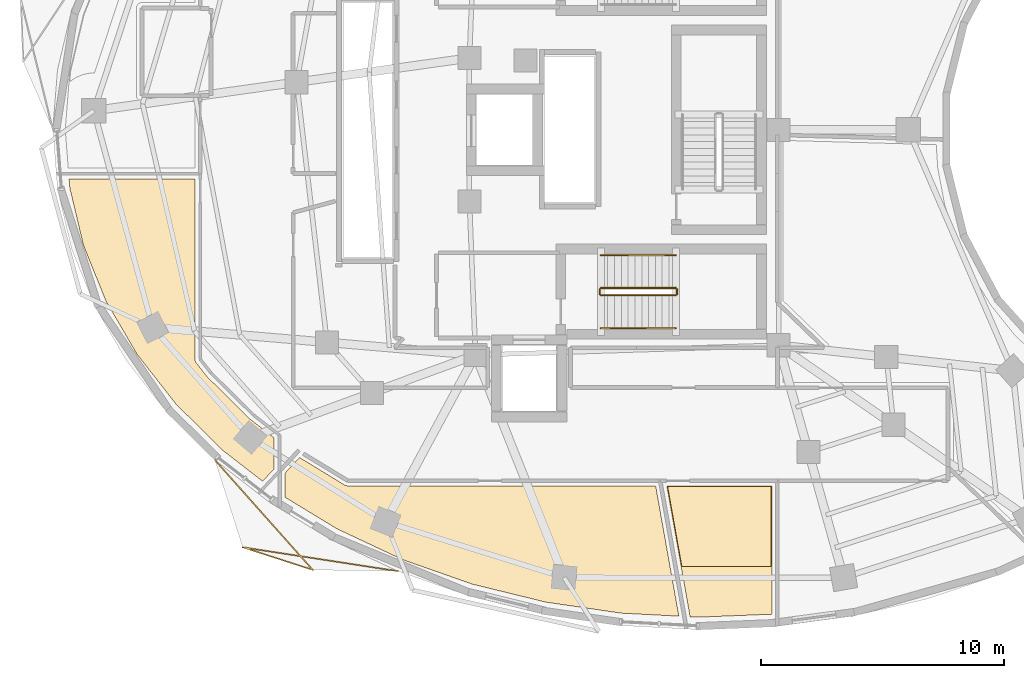
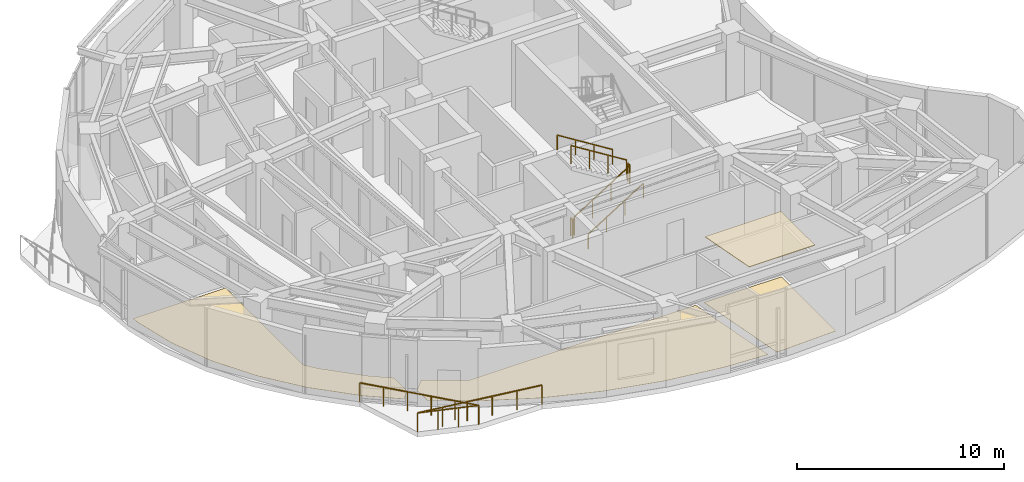
# One storey, part 11 of 13: 7 railings, 4 coverings.
"""IFC4 building model written with IfcOpenShell, lengths in metres."""

from ifc_helpers import new_model, si_unit, direction, frame, origin, origin_2d, place, context, subcontext, project, spatial, polyline, rectangle, outline, extrude, material, layer, layer_set, type_object, element, save


model = new_model("IFC4")

# Units and contexts
model_context = context("Model", 3, precision=1e-05, world=origin(), true_north=direction((0.0, 1.0)))
body_context = subcontext(model_context, "Body", "Model", "MODEL_VIEW")
ifc_project = project(units=[si_unit("LENGTHUNIT", "METRE"), si_unit("AREAUNIT", "SQUARE_METRE"), si_unit("VOLUMEUNIT", "CUBIC_METRE"), si_unit("PLANEANGLEUNIT", "RADIAN"), si_unit("MASSUNIT", "GRAM", prefix="KILO")], contexts=[model_context])

# Site, building, storey
site_placement = place(None, origin())
site = spatial("IfcSite", under=ifc_project, at=site_placement, CompositionType="ELEMENT")
building_placement = place(site_placement, origin())
building = spatial("IfcBuilding", under=site, at=building_placement, Name="Korentha Bioscience Tower", CompositionType="ELEMENT")
storey_placement = place(building_placement, frame((0.0, 0.0, 154.199951171875)))
storey = spatial("IfcBuildingStorey", under=building, at=storey_placement, Name="L35", CompositionType="ELEMENT", Elevation=154.199951171875)

# Railings
ifc_material_1 = material(Name="Stainless Steel 304", Category="steel")
railing_type_1 = type_object("IfcRailingType", Name="Brushed Stainless Stair Handrail 900", PredefinedType="HANDRAIL", material=ifc_material_1)
railing_1_placement = place(storey_placement, frame((30.25, 18.85009765625, 0.175048828125)))
element("IfcRailing", 1, at=railing_1_placement, inside=storey, type_object=railing_type_1, Name="L35 ST-2 stair handrail 1", PredefinedType="HANDRAIL", context=body_context, shape_type="SweptSolid", body=[
    extrude(rectangle(XDim=0.048095703125, YDim=0.048095703125, at=origin_2d()), frame((0.0, 0.0, 0.8759765625), z_axis=(0.847998304005, 0.0, 0.529998940003), x_axis=(0.0, 1.0, 0.0)), (0.0, 0.0, 1.0), 3.632080078125),
    extrude(rectangle(XDim=0.0419921875, YDim=0.0419921875, at=origin_2d()), origin(), (0.0, 0.0, 1.0), 0.851806640625),
    extrude(rectangle(XDim=0.0419921875, YDim=0.0419921875, at=origin_2d()), frame((1.026611328125, 0.0, 0.6416015625)), (0.0, 0.0, 1.0), 0.851806640625),
    extrude(rectangle(XDim=0.0419921875, YDim=0.0419921875, at=origin_2d()), frame((2.053466796875, 0.0, 1.283447265625)), (0.0, 0.0, 1.0), 0.851806640625),
    extrude(rectangle(XDim=0.0419921875, YDim=0.0419921875, at=origin_2d()), frame((3.080078125, 0.0, 1.925048828125)), (0.0, 0.0, 1.0), 0.851806640625),
])
railing_2_placement = place(storey_placement, frame((33.330078125, 21.85009765625, 2.275146484375)))
element("IfcRailing", 2, at=railing_2_placement, inside=storey, type_object=railing_type_1, Name="L35 ST-2 stair handrail 2", PredefinedType="HANDRAIL", context=body_context, shape_type="SweptSolid", body=[
    extrude(rectangle(XDim=0.048095703125, YDim=0.048095703125, at=origin_2d()), frame((0.0, 0.0, 0.8759765625), z_axis=(-0.848028513186, 0.0, 0.529950602248), x_axis=(0.0, -1.0, 0.0)), (0.0, 0.0, 1.0), 3.632080078125),
    extrude(rectangle(XDim=0.0419921875, YDim=0.0419921875, at=origin_2d()), origin(), (0.0, 0.0, 1.0), 0.851806640625),
    extrude(rectangle(XDim=0.0419921875, YDim=0.0419921875, at=origin_2d()), frame((-1.026611328125, 0.0, 0.6416015625)), (0.0, 0.0, 1.0), 0.851806640625),
    extrude(rectangle(XDim=0.0419921875, YDim=0.0419921875, at=origin_2d()), frame((-2.053466796875, 0.0, 1.283203125)), (0.0, 0.0, 1.0), 0.851806640625),
    extrude(rectangle(XDim=0.0419921875, YDim=0.0419921875, at=origin_2d()), frame((-3.080078125, 0.0, 1.9248046875)), (0.0, 0.0, 1.0), 0.851806640625),
])
ifc_material_2 = material(Name="Laminated Tempered Safety Glass", Category="glass")
railing_type_2 = type_object("IfcRailingType", Name="Laminated Glass Balcony Guardrail 1150", PredefinedType="BALUSTRADE", material=ifc_material_2)
railing_3_placement = place(storey_placement, frame((14.390380859375, 13.43994140625, 0.0)))
element("IfcRailing", 3, at=railing_3_placement, inside=storey, type_object=railing_type_2, Name="L35 Balcony Guardrail 03", PredefinedType="BALUSTRADE", context=body_context, shape_type="SweptSolid", body=[
    extrude(rectangle(XDim=0.048095703125, YDim=0.048095703125, at=origin_2d()), frame((0.0, 0.0, 1.1259765625), z_axis=(0.665026961632, -0.746819349175, 0.0), x_axis=(0.746819349175, 0.665026961632, 0.0)), (0.0, 0.0, 1.0), 6.05322265625),
    extrude(rectangle(XDim=0.048095703125, YDim=0.048095703125, at=origin_2d()), frame((4.025634765625, -4.520751953125, 1.1259765625), z_axis=(-0.951451462682, 0.307798820922, 0.0), x_axis=(-0.307798820922, -0.951451462682, 0.0)), (0.0, 0.0, 1.0), 3.0283203125),
    extrude(rectangle(XDim=0.048095703125, YDim=0.048095703125, at=origin_2d()), frame((1.144287109375, -3.588623046875, 1.1259765625), z_axis=(0.988382201104, -0.151988896113, 0.0), x_axis=(0.151988896113, 0.988382201104, 0.0)), (0.0, 0.0, 1.0), 6.44775390625),
    extrude(rectangle(XDim=0.0419921875, YDim=0.0419921875, at=origin_2d()), origin(), (0.0, 0.0, 1.0), 1.101806640625),
    extrude(rectangle(XDim=0.0419921875, YDim=0.0419921875, at=origin_2d()), frame((0.80517578125, -0.904052734375, 0.0)), (0.0, 0.0, 1.0), 1.101806640625),
    extrude(rectangle(XDim=0.0419921875, YDim=0.0419921875, at=origin_2d()), frame((1.6103515625, -1.808349609375, 0.0)), (0.0, 0.0, 1.0), 1.101806640625),
    extrude(rectangle(XDim=0.0419921875, YDim=0.0419921875, at=origin_2d()), frame((2.415283203125, -2.71240234375, 0.0)), (0.0, 0.0, 1.0), 1.101806640625),
    extrude(rectangle(XDim=0.0419921875, YDim=0.0419921875, at=origin_2d()), frame((3.220458984375, -3.61669921875, 0.0)), (0.0, 0.0, 1.0), 1.101806640625),
    extrude(rectangle(XDim=0.0419921875, YDim=0.0419921875, at=origin_2d()), frame((4.025634765625, -4.520751953125, 0.0)), (0.0, 0.0, 1.0), 1.101806640625),
    extrude(rectangle(XDim=0.0419921875, YDim=0.0419921875, at=origin_2d()), frame((3.065185546875, -4.2099609375, 0.0)), (0.0, 0.0, 1.0), 1.101806640625),
    extrude(rectangle(XDim=0.0419921875, YDim=0.0419921875, at=origin_2d()), frame((2.104736328125, -3.8994140625, 0.0)), (0.0, 0.0, 1.0), 1.101806640625),
    extrude(rectangle(XDim=0.0419921875, YDim=0.0419921875, at=origin_2d()), frame((1.144287109375, -3.588623046875, 0.0)), (0.0, 0.0, 1.0), 1.101806640625),
    extrude(rectangle(XDim=0.0419921875, YDim=0.0419921875, at=origin_2d()), frame((2.4189453125, -3.78466796875, 0.0)), (0.0, 0.0, 1.0), 1.101806640625),
    extrude(rectangle(XDim=0.0419921875, YDim=0.0419921875, at=origin_2d()), frame((3.693359375, -3.980712890625, 0.0)), (0.0, 0.0, 1.0), 1.101806640625),
    extrude(rectangle(XDim=0.0419921875, YDim=0.0419921875, at=origin_2d()), frame((4.968017578125, -4.176513671875, 0.0)), (0.0, 0.0, 1.0), 1.101806640625),
    extrude(rectangle(XDim=0.0419921875, YDim=0.0419921875, at=origin_2d()), frame((6.242431640625, -4.37255859375, 0.0)), (0.0, 0.0, 1.0), 1.101806640625),
    extrude(rectangle(XDim=0.0419921875, YDim=0.0419921875, at=origin_2d()), frame((7.51708984375, -4.568603515625, 0.0)), (0.0, 0.0, 1.0), 1.101806640625),
])

# Covering
ifc_material_3 = material(Name="Antimicrobial Mineral Fibre Board", Category="gypsum")
ifc_layer_1 = layer(ifc_material_3, 0.034912109375, Name="Antimicrobial Mineral Fibre Board")
ifc_layer_set_1 = layer_set([ifc_layer_1], Name="Antimicrobial Mineral Fibre Board (CL-MF35)")
covering_type_1 = type_object("IfcCoveringType", Name="Mineral-Fibre Cleanroom Suspended Ceiling 35", PredefinedType="CEILING", material=ifc_layer_set_1)
covering_1_placement = place(storey_placement, frame((0.0, 0.0, 3.864990234375)))
element("IfcCovering", 4, at=covering_1_placement, inside=storey, type_object=covering_type_1, Name="L35 Airlock Gowning Anteroom 05 Acoustic Ceiling", PredefinedType="CEILING", context=body_context, shape_type="SweptSolid", body=[
    extrude(outline(polyline([(37.248046875, 9.064453125), (33.576904296875, 9.066162109375), (32.993896484375, 12.340087890625), (37.248046875, 12.340087890625), (37.248046875, 9.064453125)])), origin(), (0.0, 0.0, 1.0), 0.03515625),
])

# Railings
ifc_material_4 = material(Name="Painted Steel S275", Category="steel")
railing_type_3 = type_object("IfcRailingType", Name="Painted Steel Stair Well Guardrail 1100", PredefinedType="GUARDRAIL", material=ifc_material_4)
railing_4_placement = place(storey_placement, frame((30.25, 20.199951171875, 0.175048828125)))
element("IfcRailing", 5, at=railing_4_placement, inside=storey, type_object=railing_type_3, Name="L35 ST-2 stair guard 1", PredefinedType="GUARDRAIL", context=body_context, shape_type="SweptSolid", body=[
    extrude(rectangle(XDim=0.048095703125, YDim=0.048095703125, at=origin_2d()), frame((0.0, 0.0, 1.076171875), z_axis=(0.847998304005, 0.0, 0.529998940003), x_axis=(0.0, 1.0, 0.0)), (0.0, 0.0, 1.0), 3.632080078125),
    extrude(rectangle(XDim=0.0419921875, YDim=0.0419921875, at=origin_2d()), origin(), (0.0, 0.0, 1.0), 1.052001953125),
    extrude(rectangle(XDim=0.0419921875, YDim=0.0419921875, at=origin_2d()), frame((1.026611328125, 0.0, 0.6416015625)), (0.0, 0.0, 1.0), 1.052001953125),
    extrude(rectangle(XDim=0.0419921875, YDim=0.0419921875, at=origin_2d()), frame((2.053466796875, 0.0, 1.283447265625)), (0.0, 0.0, 1.0), 1.052001953125),
    extrude(rectangle(XDim=0.0419921875, YDim=0.0419921875, at=origin_2d()), frame((3.080078125, 0.0, 1.925048828125)), (0.0, 0.0, 1.0), 1.052001953125),
])
railing_5_placement = place(storey_placement, frame((33.3798828125, 20.25, 2.10009765625)))
element("IfcRailing", 6, at=railing_5_placement, inside=storey, type_object=railing_type_3, Name="L35 ST-2 stair guard 2", PredefinedType="GUARDRAIL", context=body_context, shape_type="SweptSolid", body=[
    extrude(rectangle(XDim=0.048095703125, YDim=0.048095703125, at=origin_2d()), frame((0.0, 0.0, 1.076171875), z_axis=(0.0, 1.0, 0.0), x_axis=(-1.0, 0.0, 0.0)), (0.0, 0.0, 1.0), 0.199951171875),
    extrude(rectangle(XDim=0.0419921875, YDim=0.0419921875, at=origin_2d()), origin(), (0.0, 0.0, 1.0), 1.052001953125),
    extrude(rectangle(XDim=0.0419921875, YDim=0.0419921875, at=origin_2d()), frame((0.0, 0.199951171875, 0.0)), (0.0, 0.0, 1.0), 1.052001953125),
])
railing_6_placement = place(storey_placement, frame((33.330078125, 20.5, 2.275146484375)))
element("IfcRailing", 7, at=railing_6_placement, inside=storey, type_object=railing_type_3, Name="L35 ST-2 stair guard 3", PredefinedType="GUARDRAIL", context=body_context, shape_type="SweptSolid", body=[
    extrude(rectangle(XDim=0.048095703125, YDim=0.048095703125, at=origin_2d()), frame((0.0, 0.0, 1.076171875), z_axis=(-0.848028513186, 0.0, 0.529950602248), x_axis=(0.0, -1.0, 0.0)), (0.0, 0.0, 1.0), 3.632080078125),
    extrude(rectangle(XDim=0.0419921875, YDim=0.0419921875, at=origin_2d()), origin(), (0.0, 0.0, 1.0), 1.052001953125),
    extrude(rectangle(XDim=0.0419921875, YDim=0.0419921875, at=origin_2d()), frame((-1.026611328125, 0.0, 0.6416015625)), (0.0, 0.0, 1.0), 1.052001953125),
    extrude(rectangle(XDim=0.0419921875, YDim=0.0419921875, at=origin_2d()), frame((-2.053466796875, 0.0, 1.283203125)), (0.0, 0.0, 1.0), 1.052001953125),
    extrude(rectangle(XDim=0.0419921875, YDim=0.0419921875, at=origin_2d()), frame((-3.080078125, 0.0, 1.9248046875)), (0.0, 0.0, 1.0), 1.052001953125),
])
railing_7_placement = place(storey_placement, frame((30.199951171875, 20.25, 0.0)))
element("IfcRailing", 8, at=railing_7_placement, inside=storey, type_object=railing_type_3, Name="L35 ST-2 stair guard 4", PredefinedType="GUARDRAIL", context=body_context, shape_type="SweptSolid", body=[
    extrude(rectangle(XDim=0.048095703125, YDim=0.048095703125, at=origin_2d()), frame((0.0, 0.0, 1.076171875), z_axis=(0.0, 1.0, 0.0), x_axis=(-1.0, 0.0, 0.0)), (0.0, 0.0, 1.0), 0.199951171875),
    extrude(rectangle(XDim=0.0419921875, YDim=0.0419921875, at=origin_2d()), origin(), (0.0, 0.0, 1.0), 1.052001953125),
    extrude(rectangle(XDim=0.0419921875, YDim=0.0419921875, at=origin_2d()), frame((0.0, 0.199951171875, 0.0)), (0.0, 0.0, 1.0), 1.052001953125),
])

# Coverings
ifc_material_5 = material(Name="Chemical-Resistant Epoxy Resin", Category="polymer")
ifc_layer_2 = layer(ifc_material_5, 0.011962890625, Name="Chemical-Resistant Epoxy Resin")
ifc_layer_set_2 = layer_set([ifc_layer_2], Name="Chemical-Resistant Epoxy Resin (FL-EPX)")
covering_type_2 = type_object("IfcCoveringType", Name="Seamless Epoxy Laboratory Flooring 12", PredefinedType="FLOORING", material=ifc_layer_set_2)
covering_2_placement = place(storey_placement, origin())
element("IfcCovering", 9, at=covering_2_placement, inside=storey, type_object=covering_type_2, Name="L35 Principal Investigator Office 01 Floor Finish", PredefinedType="FLOORING", context=body_context, shape_type="SweptSolid", body=[
    extrude(outline(polyline([(13.570068359375, 24.97802734375), (13.576416015625, 17.529052734375), (13.612548828125, 17.44921875), (14.073974609375, 16.859619140625), (15.839111328125, 15.115234375), (16.827880859375, 14.34716796875), (16.827880859375, 13.0712890625), (16.354736328125, 12.563720703125), (14.727294921875, 13.82421875), (12.801025390625, 15.726806640625), (11.189453125, 17.7880859375), (9.914306640625, 19.978271484375), (8.991943359375, 22.265380859375), (8.43408203125, 24.616455078125), (8.406005859375, 24.97802734375), (13.570068359375, 24.97802734375)])), origin(), (0.0, 0.0, 1.0), 0.011962890625),
])
covering_3_placement = place(storey_placement, origin())
element("IfcCovering", 10, at=covering_3_placement, inside=storey, type_object=covering_type_2, Name="L35 Staff Pantry Kitchenette 03 Floor Finish", PredefinedType="FLOORING", context=body_context, shape_type="SweptSolid", body=[
    extrude(outline(polyline([(17.871337890625, 13.5390625), (19.730224609375, 12.403564453125), (19.8388671875, 12.370361328125), (32.5009765625, 12.3701171875), (33.453857421875, 7.0205078125), (31.0888671875, 7.14404296875), (27.983154296875, 7.598388671875), (24.972412109375, 8.33544921875), (22.10107421875, 9.343994140625), (19.410888671875, 10.6083984375), (17.272216796875, 11.908203125), (17.27197265625, 12.896240234375), (17.871337890625, 13.5390625)])), origin(), (0.0, 0.0, 1.0), 0.011962890625),
])
covering_4_placement = place(storey_placement, origin())
element("IfcCovering", 11, at=covering_4_placement, inside=storey, type_object=covering_type_2, Name="L35 Airlock Gowning Anteroom 05 Floor Finish", PredefinedType="FLOORING", context=body_context, shape_type="SweptSolid", body=[
    extrude(outline(polyline([(32.9580078125, 12.3701171875), (37.278076171875, 12.3701171875), (37.278076171875, 7.101318359375), (34.243896484375, 6.97900390625), (33.915283203125, 6.996337890625), (32.9580078125, 12.3701171875)])), origin(), (0.0, 0.0, 1.0), 0.011962890625),
])

save(model, "model.ifc")
